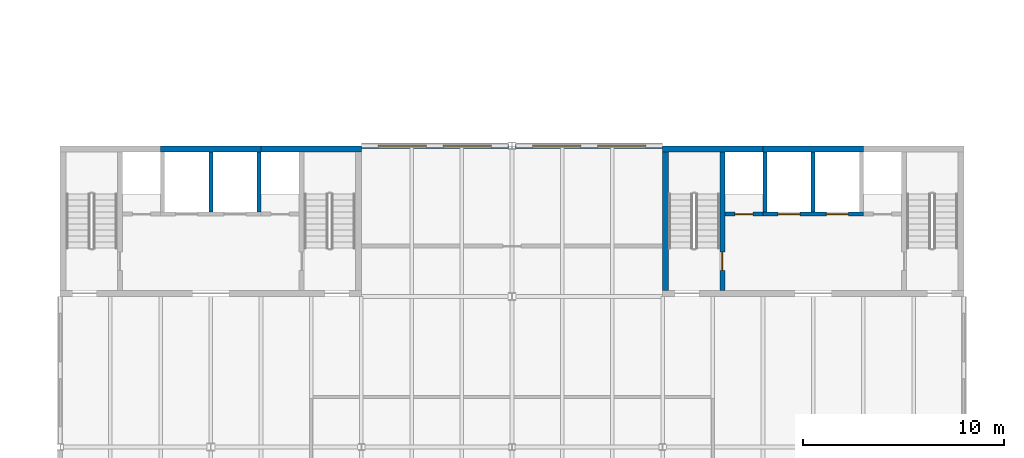
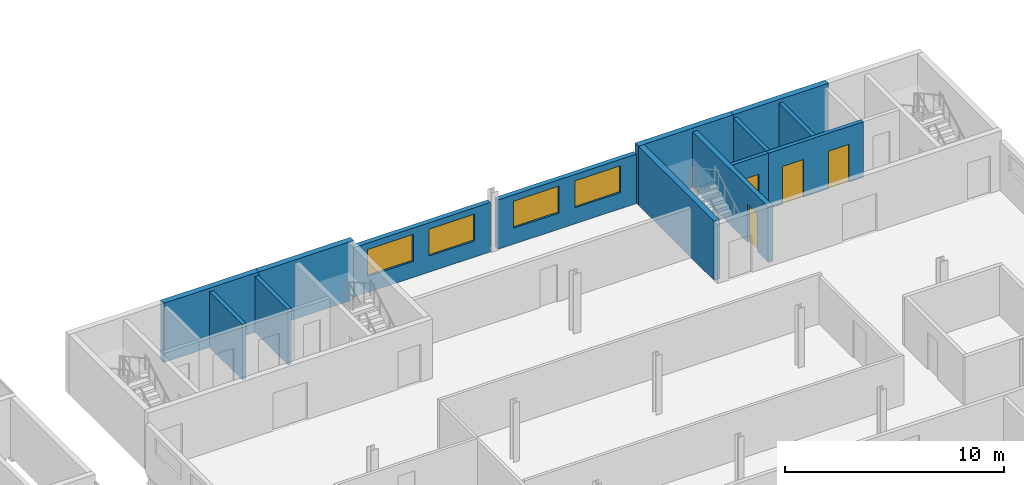
# One storey, part 67 of 214: 14 walls, 4 doors, 4 windows, 8 openings.
"""IFC4 building model written with IfcOpenShell, lengths in metres."""

from ifc_helpers import new_model, si_unit, direction, frame, frame_2d, origin, place, context, subcontext, project, spatial, rectangle, extrude, material, layer, layer_set, type_object, element, fill, save


model = new_model("IFC4")

# Units and contexts
model_context = context("Model", 3, precision=1e-05, world=origin(), true_north=direction((0.0, 1.0)))
body_context = subcontext(model_context, "Body", "Model", "MODEL_VIEW")
ifc_project = project(units=[si_unit("LENGTHUNIT", "METRE"), si_unit("AREAUNIT", "SQUARE_METRE"), si_unit("VOLUMEUNIT", "CUBIC_METRE"), si_unit("PLANEANGLEUNIT", "RADIAN"), si_unit("MASSUNIT", "GRAM", prefix="KILO")], contexts=[model_context])

# Site, building, storey
site_placement = place(None, origin())
site = spatial("IfcSite", under=ifc_project, at=site_placement, CompositionType="ELEMENT")
building_placement = place(site_placement, origin())
building = spatial("IfcBuilding", under=site, at=building_placement, Name="Parallax Yard Mobility Hub", CompositionType="ELEMENT")
storey_placement = place(building_placement, frame((0.0, 0.0, 3.300048828125)))
storey = spatial("IfcBuildingStorey", under=building, at=storey_placement, Name="L01", CompositionType="ELEMENT", Elevation=3.300048828125)

# Walls
ifc_material_1 = material(Name="Concrete fc' 35 MPa", Category="concrete")
ifc_layer_1 = layer(ifc_material_1, 0.300048828125)
ifc_layer_set_1 = layer_set([ifc_layer_1], Name="Concrete fc' 35 MPa core wall 300")
wall_type_1 = type_object("IfcWallType", Name="Concrete fc' 35 MPa core wall 300", PredefinedType="SHEAR", material=ifc_layer_set_1)
for number, where, z_axis, x_axis, name in (
    (1, (102.5, 52.35009765625, 0.0), (0.0, 0.0, 1.0), (1.0, 0.0, 0.0), "Core C6-W back wall part 2 level L01"),
    (2, (107.5, 52.35009765625, 0.0), (0.0, 0.0, 1.0), (1.0, 0.0, 0.0), "Core C6-W back wall part 3 level L01"),
    (3, (127.5, 52.35009765625, 0.0), (0.0, 0.0, 1.0), (1.0, 0.0, 0.0), "Core C6-E back wall part 1 level L01"),
    (4, (132.5, 52.35009765625, 0.0), (0.0, 0.0, 1.0), (1.0, 0.0, 0.0), "Core C6-E back wall part 2 level L01"),
):
    element("IfcWall", number, at=place(storey_placement, frame(where, z_axis=z_axis, x_axis=x_axis)), inside=storey, type_object=wall_type_1, Name=name, PredefinedType="SHEAR", context=body_context, shape_type="SweptSolid", body=[
        extrude(rectangle(XDim=5.0, YDim=0.300048828125, at=frame_2d((2.5, 0.0))), origin(), (0.0, 0.0, 1.0), 3.300048828125),
    ])
wall_1_placement = place(storey_placement, frame((127.64990234375, 45.300048828125, 0.0), z_axis=(0.0, 0.0, 1.0), x_axis=(0.0, 1.0, 0.0)))
element("IfcWall", 5, at=wall_1_placement, inside=storey, type_object=wall_type_1, Name="Core C6-E west-side end wall level L01", PredefinedType="SHEAR", context=body_context, shape_type="SweptSolid", body=[
    extrude(rectangle(XDim=6.89990234375, YDim=0.300048828125, at=frame_2d((3.449951171875, 0.0))), origin(), (0.0, 0.0, 1.0), 3.300048828125),
])
ifc_layer_2 = layer(ifc_material_1, 0.199951171875)
ifc_layer_set_2 = layer_set([ifc_layer_2], Name="Concrete fc' 35 MPa internal core wall 200")
wall_type_2 = type_object("IfcWallType", Name="Concrete fc' 35 MPa internal core wall 200", PredefinedType="STANDARD", material=ifc_layer_set_2)
for number, where, z_axis, x_axis, name in (
    (6, (105.0, 49.199951171875, 0.0), (0.0, 0.0, 1.0), (0.0, 1.0, 0.0), "Core C6-W lift wall 2 part 2 level L01"),
    (7, (107.39990234375, 49.199951171875, 0.0), (0.0, 0.0, 1.0), (0.0, 1.0, 0.0), "Core C6-W lift wall 3 part 3 level L01"),
):
    element("IfcWall", number, at=place(storey_placement, frame(where, z_axis=z_axis, x_axis=x_axis)), inside=storey, type_object=wall_type_2, Name=name, PredefinedType="STANDARD", context=body_context, shape_type="SweptSolid", body=[
        extrude(rectangle(XDim=3.0, YDim=0.199951171875, at=frame_2d((1.5, 0.0))), origin(), (0.0, 0.0, 1.0), 3.099853515625),
    ])

# Wall, opening, door
wall_2_placement = place(storey_placement, frame((132.5, 49.10009765625, 0.0), z_axis=(0.0, 0.0, 1.0), x_axis=(-1.0, 0.0, 0.0)))
wall_2 = element("IfcWall", 8, at=wall_2_placement, inside=storey, type_object=wall_type_2, Name="Core C6-E lift front 1 part 1 level L01", PredefinedType="STANDARD", context=body_context, shape_type="SweptSolid", body=[
    extrude(rectangle(XDim=1.89990234375, YDim=0.199951171875, at=frame_2d((0.949951171875, 0.0))), origin(), (0.0, 0.0, 1.0), 3.099853515625),
])
opening_1_placement = place(wall_2_placement, frame((0.5, 0.0, 0.0)))
opening_1 = element("IfcOpeningElement", 9, at=opening_1_placement, cuts=wall_2, Name="Opening L01-D749", PredefinedType="OPENING", context=body_context, shape_type="SweptSolid", body=[
    extrude(rectangle(XDim=0.89990234375, YDim=2.10009765625, at=frame_2d((0.449951171875, 1.050048828125))), frame((0.0, 0.10986328125, 0.0), z_axis=(0.0, -1.0, 0.0), x_axis=(1.0, 0.0, 0.0)), (0.0, 0.0, 1.0), 0.219970703125),
])
ifc_material_2 = material(Name="Hollow metal steel door and frame", Category="steel")
door_type_1 = type_object("IfcDoorType", Name="Riser door 900 x 2100 FD90", OperationType="NOTDEFINED", PredefinedType="DOOR", material=ifc_material_2)
door_1_placement = place(opening_1_placement, origin())
door_1 = element("IfcDoor", 10, at=door_1_placement, inside=storey, type_object=door_type_1, Name="Riser door L01-D749, core C6-E level L01", OperationType="SINGLE_SWING_RIGHT", OverallHeight=2.10009765625, OverallWidth=0.89990234375, PredefinedType="DOOR", context=body_context, shape_type="SweptSolid", body=[
    extrude(rectangle(XDim=0.89990234375, YDim=2.10009765625, at=frame_2d((0.449951171875, 1.050048828125))), frame((0.0, 0.02490234375, 0.0), z_axis=(0.0, -1.0, 0.0), x_axis=(1.0, 0.0, 0.0)), (0.0, 0.0, 1.0), 0.050048828125),
])
fill(opening_1, door_1)

# Wall, openings, doors
wall_3_placement = place(storey_placement, frame((132.5, 49.10009765625, 0.0), z_axis=(0.0, 0.0, 1.0), x_axis=(1.0, 0.0, 0.0)))
wall_3 = element("IfcWall", 11, at=wall_3_placement, inside=storey, type_object=wall_type_2, Name="Core C6-E lift front 2 part 2 level L01", PredefinedType="STANDARD", context=body_context, shape_type="SweptSolid", body=[
    extrude(rectangle(XDim=5.0, YDim=0.199951171875, at=frame_2d((2.5, 0.0))), origin(), (0.0, 0.0, 1.0), 3.099853515625),
])
opening_2_placement = place(wall_3_placement, frame((0.75, 0.0, 0.0)))
opening_2 = element("IfcOpeningElement", 12, at=opening_2_placement, cuts=wall_3, Name="Opening L01-D747", PredefinedType="OPENING", context=body_context, shape_type="SweptSolid", body=[
    extrude(rectangle(XDim=1.10009765625, YDim=2.10009765625, at=frame_2d((0.550048828125, 1.050048828125))), frame((0.0, 0.10986328125, 0.0), z_axis=(0.0, -1.0, 0.0), x_axis=(1.0, 0.0, 0.0)), (0.0, 0.0, 1.0), 0.219970703125),
])
opening_3_placement = place(wall_3_placement, frame((3.14990234375, 0.0, 0.0)))
opening_3 = element("IfcOpeningElement", 13, at=opening_3_placement, cuts=wall_3, Name="Opening L01-D748", PredefinedType="OPENING", context=body_context, shape_type="SweptSolid", body=[
    extrude(rectangle(XDim=1.10009765625, YDim=2.10009765625, at=frame_2d((0.550048828125, 1.050048828125))), frame((0.0, 0.10986328125, 0.0), z_axis=(0.0, -1.0, 0.0), x_axis=(1.0, 0.0, 0.0)), (0.0, 0.0, 1.0), 0.219970703125),
])
ifc_material_3 = material(Name="Stainless steel sliding door and frame", Category="steel")
door_type_2 = type_object("IfcDoorType", Name="Lift landing door 1100 x 2100 FD90", OperationType="DOUBLE_DOOR_SLIDING", PredefinedType="DOOR", material=ifc_material_3)
door_2_placement = place(opening_2_placement, origin())
door_2 = element("IfcDoor", 14, at=door_2_placement, inside=storey, type_object=door_type_2, Name="Lift landing door L01-D747, core C6-E level L01", OperationType="DOUBLE_DOOR_SLIDING", OverallHeight=2.10009765625, OverallWidth=1.10009765625, PredefinedType="DOOR", context=body_context, shape_type="SweptSolid", body=[
    extrude(rectangle(XDim=1.10009765625, YDim=2.10009765625, at=frame_2d((0.550048828125, 1.050048828125))), frame((0.0, 0.02490234375, 0.0), z_axis=(0.0, -1.0, 0.0), x_axis=(1.0, 0.0, 0.0)), (0.0, 0.0, 1.0), 0.050048828125),
])
fill(opening_2, door_2)
door_3_placement = place(opening_3_placement, origin())
door_3 = element("IfcDoor", 15, at=door_3_placement, inside=storey, type_object=door_type_2, Name="Lift landing door L01-D748, core C6-E level L01", OperationType="DOUBLE_DOOR_SLIDING", OverallHeight=2.10009765625, OverallWidth=1.10009765625, PredefinedType="DOOR", context=body_context, shape_type="SweptSolid", body=[
    extrude(rectangle(XDim=1.10009765625, YDim=2.10009765625, at=frame_2d((0.550048828125, 1.050048828125))), frame((0.0, 0.02490234375, 0.0), z_axis=(0.0, -1.0, 0.0), x_axis=(1.0, 0.0, 0.0)), (0.0, 0.0, 1.0), 0.050048828125),
])
fill(opening_3, door_3)

# Walls
for number, where, z_axis, x_axis, name in (
    (16, (132.60009765625, 49.199951171875, 0.0), (0.0, 0.0, 1.0), (0.0, 1.0, 0.0), "Core C6-E lift wall 1 part 1 level L01"),
    (17, (135.0, 49.199951171875, 0.0), (0.0, 0.0, 1.0), (0.0, 1.0, 0.0), "Core C6-E lift wall 2 part 2 level L01"),
):
    element("IfcWall", number, at=place(storey_placement, frame(where, z_axis=z_axis, x_axis=x_axis)), inside=storey, type_object=wall_type_2, Name=name, PredefinedType="STANDARD", context=body_context, shape_type="SweptSolid", body=[
        extrude(rectangle(XDim=3.0, YDim=0.199951171875, at=frame_2d((1.5, 0.0))), origin(), (0.0, 0.0, 1.0), 3.099853515625),
    ])

# Wall, opening, door
ifc_layer_3 = layer(ifc_material_1, 0.25)
ifc_layer_set_3 = layer_set([ifc_layer_3], Name="Concrete fc' 35 MPa stair enclosure wall 250")
wall_type_3 = type_object("IfcWallType", Name="Concrete fc' 35 MPa stair enclosure wall 250", PredefinedType="STANDARD", material=ifc_layer_set_3)
wall_4_placement = place(storey_placement, frame((130.47509765625, 45.300048828125, 0.0), z_axis=(0.0, 0.0, 1.0), x_axis=(0.0, 1.0, 0.0)))
wall_4 = element("IfcWall", 18, at=wall_4_placement, inside=storey, type_object=wall_type_3, Name="Core C6-E stair 1 partition level L01", PredefinedType="STANDARD", context=body_context, shape_type="SweptSolid", body=[
    extrude(rectangle(XDim=6.89990234375, YDim=0.25, at=frame_2d((3.449951171875, 0.0))), origin(), (0.0, 0.0, 1.0), 3.099853515625),
])
opening_4_placement = place(wall_4_placement, frame((1.0, 0.0, 0.0)))
opening_4 = element("IfcOpeningElement", 19, at=opening_4_placement, cuts=wall_4, Name="Opening L01-D745", PredefinedType="OPENING", context=body_context, shape_type="SweptSolid", body=[
    extrude(rectangle(XDim=0.89990234375, YDim=2.10009765625, at=frame_2d((0.449951171875, 1.050048828125))), frame((0.0, 0.135009765625, 0.0), z_axis=(0.0, -1.0, 0.0), x_axis=(1.0, 0.0, 0.0)), (0.0, 0.0, 1.0), 0.27001953125),
])
door_type_3 = type_object("IfcDoorType", Name="Core door 900 x 2100 FD90", OperationType="NOTDEFINED", PredefinedType="DOOR", material=ifc_material_2)
door_4_placement = place(opening_4_placement, origin())
door_4 = element("IfcDoor", 20, at=door_4_placement, inside=storey, type_object=door_type_3, Name="Stair lobby door L01-D745, core C6-E level L01", OperationType="SINGLE_SWING_LEFT", OverallHeight=2.10009765625, OverallWidth=0.89990234375, PredefinedType="DOOR", context=body_context, shape_type="SweptSolid", body=[
    extrude(rectangle(XDim=0.89990234375, YDim=2.10009765625, at=frame_2d((0.449951171875, 1.050048828125))), frame((0.0, 0.02490234375, 0.0), z_axis=(0.0, -1.0, 0.0), x_axis=(1.0, 0.0, 0.0)), (0.0, 0.0, 1.0), 0.050048828125),
])
fill(opening_4, door_4)

# Wall, openings, windows
ifc_layer_4 = layer(ifc_material_1, 0.25)
ifc_layer_set_4 = layer_set([ifc_layer_4], Name="Exterior wall, Concrete fc' 35 MPa precast, 250 with insulation lining")
wall_type_4 = type_object("IfcWallType", Name="Exterior wall, Concrete fc' 35 MPa precast, 250 with insulation lining", PredefinedType="SOLIDWALL", material=ifc_layer_set_4)
wall_5_placement = place(storey_placement, frame((112.5, 52.5, 0.0), z_axis=(0.0, 0.0, 1.0), x_axis=(1.0, 0.0, 0.0)))
wall_5 = element("IfcWall", 21, at=wall_5_placement, inside=storey, type_object=wall_type_4, Name="Mobility service centre and workshops north wall bay 1 level L01", PredefinedType="SOLIDWALL", context=body_context, shape_type="SweptSolid", body=[
    extrude(rectangle(XDim=7.3134765625, YDim=0.25, at=frame_2d((3.65673828125, 0.0))), origin(), (0.0, 0.0, 1.0), 2.7509765625),
])
opening_5_placement = place(wall_5_placement, frame((0.837890625, 0.0, 0.89990234375)))
opening_5 = element("IfcOpeningElement", 22, at=opening_5_placement, cuts=wall_5, Name="Opening W1", PredefinedType="OPENING", context=body_context, shape_type="SweptSolid", body=[
    extrude(rectangle(XDim=2.39990234375, YDim=1.5, at=frame_2d((1.199951171875, 0.75))), frame((0.0, 0.135009765625, 0.0), z_axis=(0.0, -1.0, 0.0), x_axis=(1.0, 0.0, 0.0)), (0.0, 0.0, 1.0), 0.27001953125),
])
opening_6_placement = place(wall_5_placement, frame((4.07568359375, 0.0, 0.89990234375)))
opening_6 = element("IfcOpeningElement", 23, at=opening_6_placement, cuts=wall_5, Name="Opening W1", PredefinedType="OPENING", context=body_context, shape_type="SweptSolid", body=[
    extrude(rectangle(XDim=2.39990234375, YDim=1.5, at=frame_2d((1.199951171875, 0.75))), frame((0.0, 0.135009765625, 0.0), z_axis=(0.0, -1.0, 0.0), x_axis=(1.0, 0.0, 0.0)), (0.0, 0.0, 1.0), 0.27001953125),
])
ifc_material_4 = material(Name="Double glazed low-E unit in thermally broken aluminium frame", Category="aluminium")
window_type = type_object("IfcWindowType", Name="Window 2400 x 1500", PartitioningType="DOUBLE_PANEL_VERTICAL", PredefinedType="WINDOW", material=ifc_material_4)
window_1_placement = place(opening_5_placement, origin())
window_1 = element("IfcWindow", 24, at=window_1_placement, inside=storey, type_object=window_type, Name="Window W1 level L01", OverallHeight=1.5, OverallWidth=2.39990234375, PartitioningType="DOUBLE_PANEL_VERTICAL", PredefinedType="WINDOW", context=body_context, shape_type="SweptSolid", body=[
    extrude(rectangle(XDim=2.39990234375, YDim=1.5, at=frame_2d((1.199951171875, 0.75))), frame((0.0, 0.030029296875, 0.0), z_axis=(0.0, -1.0, 0.0), x_axis=(1.0, 0.0, 0.0)), (0.0, 0.0, 1.0), 0.06005859375),
])
fill(opening_5, window_1)
window_2_placement = place(opening_6_placement, origin())
window_2 = element("IfcWindow", 25, at=window_2_placement, inside=storey, type_object=window_type, Name="Window W1 level L01", OverallHeight=1.5, OverallWidth=2.39990234375, PartitioningType="DOUBLE_PANEL_VERTICAL", PredefinedType="WINDOW", context=body_context, shape_type="SweptSolid", body=[
    extrude(rectangle(XDim=2.39990234375, YDim=1.5, at=frame_2d((1.199951171875, 0.75))), frame((0.0, 0.030029296875, 0.0), z_axis=(0.0, -1.0, 0.0), x_axis=(1.0, 0.0, 0.0)), (0.0, 0.0, 1.0), 0.06005859375),
])
fill(opening_6, window_2)

wall_6_placement = place(storey_placement, frame((120.1865234375, 52.5, 0.0), z_axis=(0.0, 0.0, 1.0), x_axis=(1.0, 0.0, 0.0)))
wall_6 = element("IfcWall", 26, at=wall_6_placement, inside=storey, type_object=wall_type_4, Name="Mobility service centre and workshops north wall bay 2 level L01", PredefinedType="SOLIDWALL", context=body_context, shape_type="SweptSolid", body=[
    extrude(rectangle(XDim=7.3134765625, YDim=0.25, at=frame_2d((3.65673828125, 0.0))), origin(), (0.0, 0.0, 1.0), 2.7509765625),
])
opening_7_placement = place(wall_6_placement, frame((0.837890625, 0.0, 0.89990234375)))
opening_7 = element("IfcOpeningElement", 27, at=opening_7_placement, cuts=wall_6, Name="Opening W1", PredefinedType="OPENING", context=body_context, shape_type="SweptSolid", body=[
    extrude(rectangle(XDim=2.39990234375, YDim=1.5, at=frame_2d((1.199951171875, 0.75))), frame((0.0, 0.135009765625, 0.0), z_axis=(0.0, -1.0, 0.0), x_axis=(1.0, 0.0, 0.0)), (0.0, 0.0, 1.0), 0.27001953125),
])
opening_8_placement = place(wall_6_placement, frame((4.07568359375, 0.0, 0.89990234375)))
opening_8 = element("IfcOpeningElement", 28, at=opening_8_placement, cuts=wall_6, Name="Opening W1", PredefinedType="OPENING", context=body_context, shape_type="SweptSolid", body=[
    extrude(rectangle(XDim=2.39990234375, YDim=1.5, at=frame_2d((1.199951171875, 0.75))), frame((0.0, 0.135009765625, 0.0), z_axis=(0.0, -1.0, 0.0), x_axis=(1.0, 0.0, 0.0)), (0.0, 0.0, 1.0), 0.27001953125),
])
window_3_placement = place(opening_7_placement, origin())
window_3 = element("IfcWindow", 29, at=window_3_placement, inside=storey, type_object=window_type, Name="Window W1 level L01", OverallHeight=1.5, OverallWidth=2.39990234375, PartitioningType="DOUBLE_PANEL_VERTICAL", PredefinedType="WINDOW", context=body_context, shape_type="SweptSolid", body=[
    extrude(rectangle(XDim=2.39990234375, YDim=1.5, at=frame_2d((1.199951171875, 0.75))), frame((0.0, 0.030029296875, 0.0), z_axis=(0.0, -1.0, 0.0), x_axis=(1.0, 0.0, 0.0)), (0.0, 0.0, 1.0), 0.06005859375),
])
fill(opening_7, window_3)
window_4_placement = place(opening_8_placement, origin())
window_4 = element("IfcWindow", 30, at=window_4_placement, inside=storey, type_object=window_type, Name="Window W1 level L01", OverallHeight=1.5, OverallWidth=2.39990234375, PartitioningType="DOUBLE_PANEL_VERTICAL", PredefinedType="WINDOW", context=body_context, shape_type="SweptSolid", body=[
    extrude(rectangle(XDim=2.39990234375, YDim=1.5, at=frame_2d((1.199951171875, 0.75))), frame((0.0, 0.030029296875, 0.0), z_axis=(0.0, -1.0, 0.0), x_axis=(1.0, 0.0, 0.0)), (0.0, 0.0, 1.0), 0.06005859375),
])
fill(opening_8, window_4)

save(model, "model.ifc")
